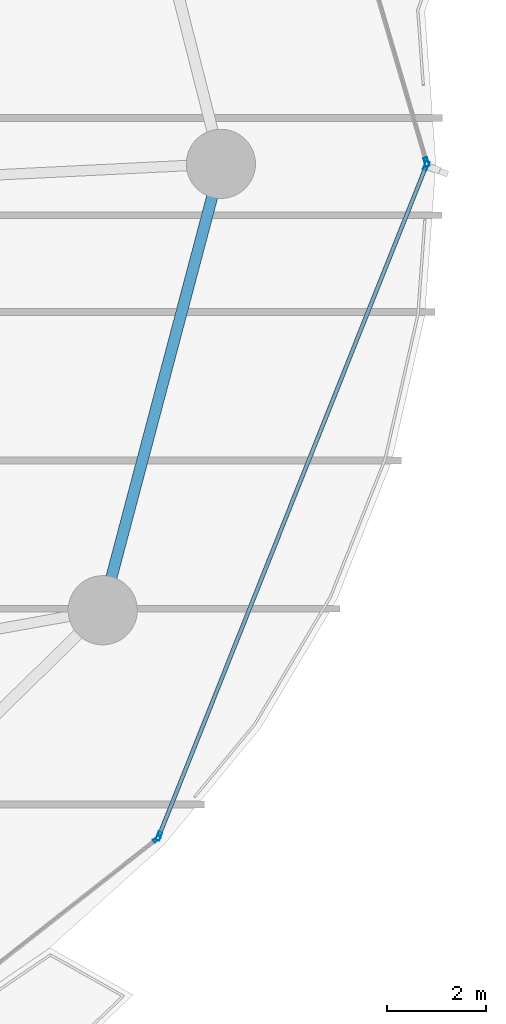
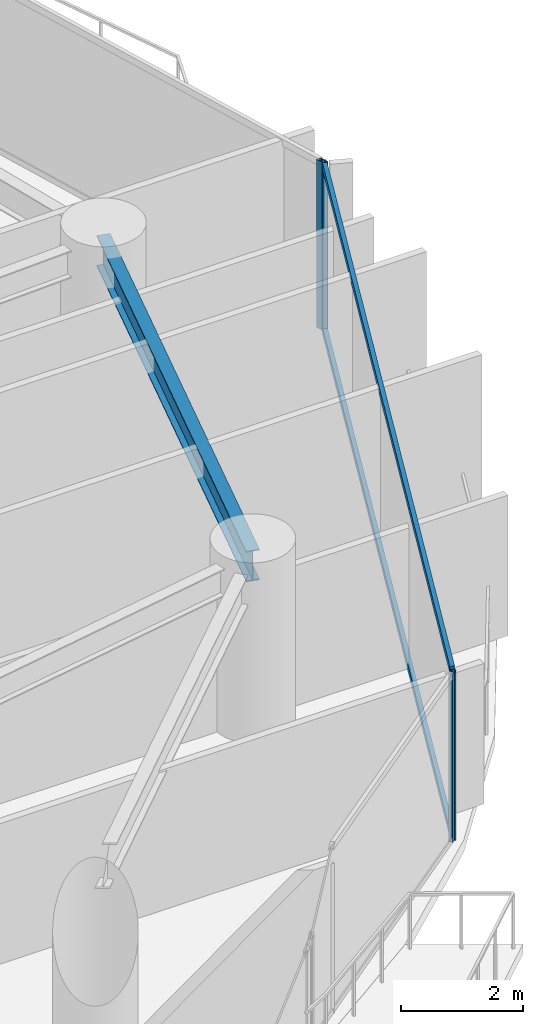
# One storey, part 23 of 33: 6 members, 1 beam, 3 elements without a shape of their own.
"""IFC4 building model written with IfcOpenShell, lengths in metres."""

from ifc_helpers import new_model, si_unit, direction, frame, origin, origin_2d, place, context, subcontext, project, spatial, hollow_rectangle, i_section, extrude, material, layer, layer_set, material_profile, profile_set, type_object, element, aggregate, save


model = new_model("IFC4")

# Units and contexts
model_context = context("Model", 3, precision=1e-05, world=origin(), true_north=direction((0.0, 1.0)))
body_context = subcontext(model_context, "Body", "Model", "MODEL_VIEW")
ifc_project = project(units=[si_unit("LENGTHUNIT", "METRE"), si_unit("AREAUNIT", "SQUARE_METRE"), si_unit("VOLUMEUNIT", "CUBIC_METRE"), si_unit("PLANEANGLEUNIT", "RADIAN"), si_unit("MASSUNIT", "GRAM", prefix="KILO")], contexts=[model_context])

# Site, building, storey
site_placement = place(None, origin())
site = spatial("IfcSite", under=ifc_project, at=site_placement, CompositionType="ELEMENT")
building_placement = place(site_placement, origin())
building = spatial("IfcBuilding", under=site, at=building_placement, Name="Kazevale Care Tower and Concert Hall", CompositionType="ELEMENT")
storey_placement = place(building_placement, frame((0.0, 0.0, 49.199951171875)))
storey = spatial("IfcBuildingStorey", under=building, at=storey_placement, Name="L12", CompositionType="ELEMENT", Elevation=49.199951171875)

# Curtain wall, members
ifc_material_1 = material(Name="Aluminium 6063-T6 and Low-E Glass", Category="aluminium")
ifc_layer_1 = layer(ifc_material_1, 0.179931640625)
ifc_layer_set_1 = layer_set([ifc_layer_1], Name="Aluminium 6063-T6 and Low-E Glass")
curtain_wall_type_1 = type_object("IfcCurtainWallType", Name="Waist & Upper Residential Curtain Wall CW-4", PredefinedType="NOTDEFINED", material=ifc_layer_set_1)
curtain_wall_1_placement = place(storey_placement, origin())
curtain_wall_1 = element("IfcCurtainWall", 1, at=curtain_wall_1_placement, inside=storey, type_object=curtain_wall_type_1, Name="cw:L12:f01", PredefinedType="NOTDEFINED")
ifc_material_2 = material(Name="Aluminium 6063-T6", Category="aluminium")
ifc_material_profile_1 = material_profile(ifc_material_2, hollow_rectangle(XDim=0.080078125, YDim=0.179931640625, WallThickness=0.0048828125, at=origin_2d()), Name="ALU80x180x5")
ifc_profile_set_1 = profile_set([ifc_material_profile_1], Name="Aluminium 6063-T6")
member_type_1 = type_object("IfcMemberType", Name="CW-4 Mullion ALU80x180x5", PredefinedType="MULLION", material=ifc_profile_set_1)
member_1_placement = place(storey_placement, frame((80.605224609375, 37.962890625, 0.0), z_axis=(0.0, 0.0, 1.0), x_axis=(0.928861412274, -0.370427424456, 0.0)))
member_1 = element("IfcMember", 2, at=member_1_placement, type_object=member_type_1, Name="CW-4 mullion 1", PredefinedType="MULLION", context=body_context, shape_type="SweptSolid", body=[
    extrude(hollow_rectangle(XDim=0.080078125, YDim=0.179931640625, WallThickness=0.0048828125, at=origin_2d()), origin(), (0.0, 0.0, 1.0), 3.360107421875),
])
member_2_placement = place(storey_placement, frame((75.19677734375, 24.401123046875, 0.0), z_axis=(0.0, 0.0, 1.0), x_axis=(0.928861412274, -0.370427424456, 0.0)))
member_2 = element("IfcMember", 3, at=member_2_placement, type_object=member_type_1, Name="CW-4 mullion 2", PredefinedType="MULLION", context=body_context, shape_type="SweptSolid", body=[
    extrude(hollow_rectangle(XDim=0.080078125, YDim=0.179931640625, WallThickness=0.0048828125, at=origin_2d()), origin(), (0.0, 0.0, 1.0), 3.360107421875),
])

# Curtain wall, member
curtain_wall_2_placement = place(storey_placement, origin())
curtain_wall_2 = element("IfcCurtainWall", 4, at=curtain_wall_2_placement, inside=storey, type_object=curtain_wall_type_1, Name="cw:L12:f18", PredefinedType="NOTDEFINED")
member_3_placement = place(storey_placement, frame((80.608642578125, 38.038330078125, 0.0), z_axis=(0.0, 0.0, 1.0), x_axis=(0.959173119586, 0.282819600918, 0.0)))
member_3 = element("IfcMember", 5, at=member_3_placement, type_object=member_type_1, Name="CW-4 mullion 2", PredefinedType="MULLION", context=body_context, shape_type="SweptSolid", body=[
    extrude(hollow_rectangle(XDim=0.080078125, YDim=0.179931640625, WallThickness=0.0048828125, at=origin_2d()), origin(), (0.0, 0.0, 1.0), 3.360107421875),
])
aggregate(curtain_wall_2, [member_3])

# Member
ifc_material_profile_2 = material_profile(ifc_material_2, hollow_rectangle(XDim=0.080078125, YDim=0.139892578125, WallThickness=0.00390625, at=origin_2d()), Name="ALU80x140x4")
ifc_profile_set_2 = profile_set([ifc_material_profile_2], Name="Aluminium 6063-T6")
member_type_2 = type_object("IfcMemberType", Name="CW-4 Transom ALU80x140x4", PredefinedType="USERDEFINED", material=ifc_profile_set_2)
member_4_placement = place(storey_placement, frame((80.59033203125, 37.92578125, 0.0400390625), z_axis=(-0.370419345682, -0.928864634026, 0.0), x_axis=(0.928864634026, -0.370419345682, 0.0)))
member_4 = element("IfcMember", 6, at=member_4_placement, type_object=member_type_2, Name="CW-4 transom 1.1", ObjectType="TRANSOM", PredefinedType="USERDEFINED", context=body_context, shape_type="SweptSolid", body=[
    extrude(hollow_rectangle(XDim=0.080078125, YDim=0.139892578125, WallThickness=0.00390625, at=origin_2d()), origin(), (0.0, 0.0, 1.0), 14.5205078125),
])

member_5_placement = place(storey_placement, frame((80.59033203125, 37.92578125, 3.320068359375), z_axis=(-0.370419345682, -0.928864634026, 0.0), x_axis=(0.928864634026, -0.370419345682, 0.0)))
member_5 = element("IfcMember", 7, at=member_5_placement, type_object=member_type_2, Name="CW-4 transom 1.2", ObjectType="TRANSOM", PredefinedType="USERDEFINED", context=body_context, shape_type="SweptSolid", body=[
    extrude(hollow_rectangle(XDim=0.080078125, YDim=0.139892578125, WallThickness=0.00390625, at=origin_2d()), origin(), (0.0, 0.0, 1.0), 14.5205078125),
])

aggregate(curtain_wall_1, [member_1, member_2, member_4, member_5])

# Curtain wall, member
ifc_layer_2 = layer(ifc_material_1, 0.179931640625)
ifc_layer_set_2 = layer_set([ifc_layer_2], Name="Aluminium 6063-T6 and Low-E Glass")
curtain_wall_type_2 = type_object("IfcCurtainWallType", Name="Sheltered Concave Balcony Curtain Wall CW-5", PredefinedType="NOTDEFINED", material=ifc_layer_set_2)
curtain_wall_3_placement = place(storey_placement, origin())
curtain_wall_3 = element("IfcCurtainWall", 8, at=curtain_wall_3_placement, inside=storey, type_object=curtain_wall_type_2, Name="cw:L12:f02", PredefinedType="NOTDEFINED")
ifc_material_profile_3 = material_profile(ifc_material_2, hollow_rectangle(XDim=0.074951171875, YDim=0.14990234375, WallThickness=0.00390625, at=origin_2d()), Name="ALU75x150x4")
ifc_profile_set_3 = profile_set([ifc_material_profile_3], Name="Aluminium 6063-T6")
member_type_3 = type_object("IfcMemberType", Name="CW-5 Mullion ALU75x150x4", PredefinedType="MULLION", material=ifc_profile_set_3)
member_6_placement = place(storey_placement, frame((75.152587890625, 24.3408203125, 0.0), z_axis=(0.0, 0.0, 1.0), x_axis=(0.617807548814, -0.78632934107, 0.0)))
member_6 = element("IfcMember", 9, at=member_6_placement, type_object=member_type_3, Name="CW-5 mullion 1", PredefinedType="MULLION", context=body_context, shape_type="SweptSolid", body=[
    extrude(hollow_rectangle(XDim=0.074951171875, YDim=0.14990234375, WallThickness=0.00390625, at=origin_2d()), origin(), (0.0, 0.0, 1.0), 3.360107421875),
])
aggregate(curtain_wall_3, [member_6])

# Beam
ifc_material_3 = material(Name="Steel ASTM A572 Gr 50", Category="steel")
ifc_material_profile_4 = material_profile(ifc_material_3, i_section(OverallWidth=0.22900390625, OverallDepth=0.612060546875, WebThickness=0.011962890625, FlangeThickness=0.01953125, at=origin_2d()), Name="W610x125")
ifc_profile_set_4 = profile_set([ifc_material_profile_4], Name="Steel ASTM A572 Gr 50")
beam_type = type_object("IfcBeamType", Name="Ring Spandrel Beam W610x125", PredefinedType="SPANDREL", material=ifc_profile_set_4)
beam_placement = place(storey_placement, frame((74.06005859375, 28.969970703125, 3.053955078125), z_axis=(0.255851611973, 0.966716066201, 0.0), x_axis=(-0.966716066201, 0.255851611973, 0.0)))
element("IfcBeam", 10, at=beam_placement, inside=storey, type_object=beam_type, Name="beam:L12:ring:16", PredefinedType="SPANDREL", context=body_context, shape_type="SweptSolid", body=[
    extrude(i_section(OverallWidth=0.22900390625, OverallDepth=0.612060546875, WebThickness=0.011962890625, FlangeThickness=0.01953125, at=origin_2d()), origin(), (0.0, 0.0, 1.0), 9.3408203125),
])

save(model, "model.ifc")
